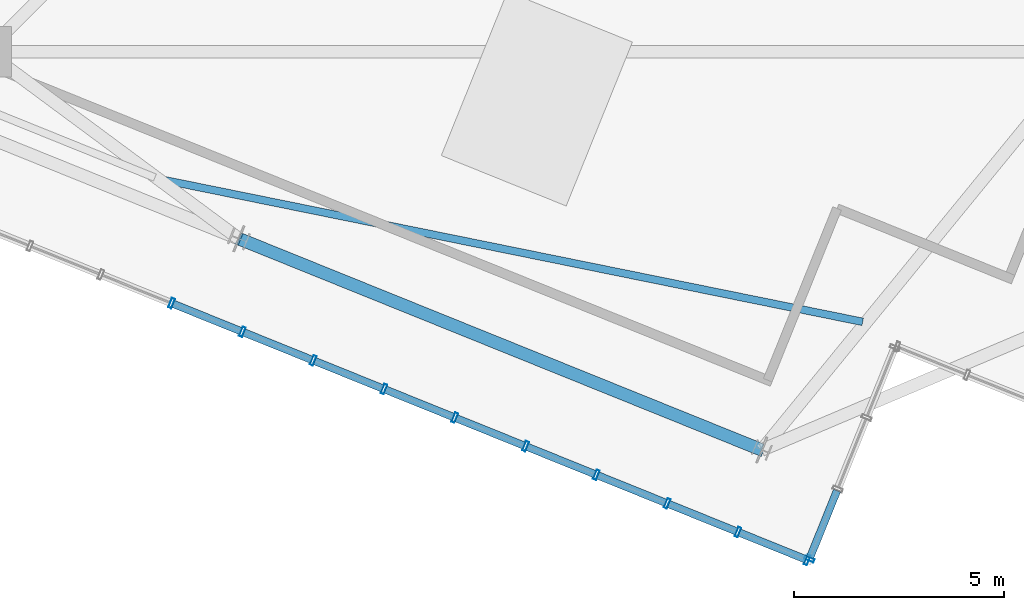
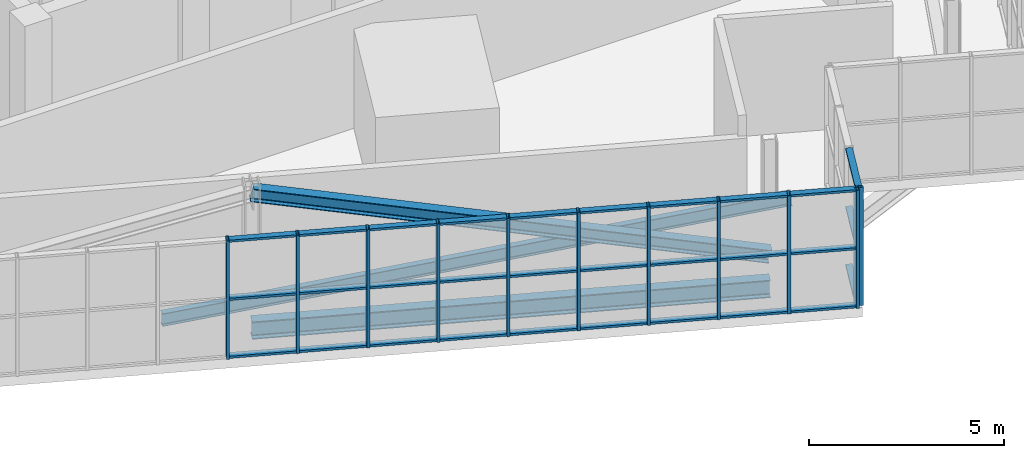
# One storey, part 4 of 26: 42 members, 2 beams, 2 elements without a shape of their own.
"""IFC4 building model written with IfcOpenShell, lengths in metres."""

from ifc_helpers import new_model, si_unit, direction, frame, origin, origin_2d, place, context, subcontext, project, spatial, hollow_rectangle, i_section, extrude, source, transform, mapped, material, layer, layer_set, material_profile, profile_set, type_object, element, aggregate, save


model = new_model("IFC4")

# Units and contexts
model_context = context("Model", 3, precision=1e-05, world=origin(), true_north=direction((0.0, 1.0)))
body_context = subcontext(model_context, "Body", "Model", "MODEL_VIEW")
ifc_project = project(units=[si_unit("LENGTHUNIT", "METRE"), si_unit("AREAUNIT", "SQUARE_METRE"), si_unit("VOLUMEUNIT", "CUBIC_METRE"), si_unit("PLANEANGLEUNIT", "RADIAN"), si_unit("MASSUNIT", "GRAM", prefix="KILO"), si_unit("THERMODYNAMICTEMPERATUREUNIT", "KELVIN")], contexts=[model_context])

# Site, building, storey
site_placement = place(None, origin())
site = spatial("IfcSite", under=ifc_project, at=site_placement, CompositionType="ELEMENT")
building_placement = place(site_placement, origin())
building = spatial("IfcBuilding", under=site, at=building_placement, Name="Kosmvard Interchange Tower", CompositionType="ELEMENT")
storey_placement = place(building_placement, frame((0.0, 0.0, 337.60009765625)))
storey = spatial("IfcBuildingStorey", under=building, at=storey_placement, Name="L83", CompositionType="ELEMENT", Elevation=337.60009765625)

# Member
ifc_material_1 = material(Name="Steel S355", Category="steel")
ifc_material_profile_1 = material_profile(ifc_material_1, i_section(OverallWidth=0.300048828125, OverallDepth=0.39990234375, WebThickness=0.013427734375, FlangeThickness=0.02392578125, FilletRadius=0.027099609375, at=origin_2d()), Name="HEB 400")
ifc_profile_set_1 = profile_set([ifc_material_profile_1], Name="Steel S355")
member_type_1 = type_object("IfcMemberType", Name="Lantern Crown Diagrid Brace HEB 400 S355", PredefinedType="BRACE", material=ifc_profile_set_1)
shared_shape_1 = source(origin(), body_context, "Body", "SweptSolid", [
    extrude(i_section(OverallWidth=0.300048828125, OverallDepth=0.39990234375, WebThickness=0.013427734375, FlangeThickness=0.02392578125, FilletRadius=0.027099609375, at=origin_2d()), origin(), (0.0, 0.0, 1.0), 13.783935546875),
])
member_1_placement = place(storey_placement, frame((5.34423828125, -22.54345703125, 0.419921875), z_axis=(-0.901367558742, 0.364177999122, 0.234330768366), x_axis=(-0.374608243744, -0.927183187789, 0.0)))
element("IfcMember", 1, at=member_1_placement, inside=storey, type_object=member_type_1, Name="L83 Crown Lantern Diagrid Brace W2", PredefinedType="BRACE", context=body_context, shape_type="MappedRepresentation", body=[
    mapped(shared_shape_1, transform((0.0, 0.0, 0.0), scale=1.0)),
])

# Beams
ifc_material_profile_2 = material_profile(ifc_material_1, i_section(OverallWidth=0.300048828125, OverallDepth=0.550048828125, WebThickness=0.014892578125, FlangeThickness=0.029052734375, FilletRadius=0.027099609375, at=origin_2d()), Name="HEB 550")
ifc_profile_set_2 = profile_set([ifc_material_profile_2], Name="Steel S355")
beam_type_1 = type_object("IfcBeamType", Name="Crown Ring Cap Girder HEB 550 S355", PredefinedType="BEAM", material=ifc_profile_set_2)
shared_shape_2 = source(origin(), body_context, "Body", "SweptSolid", [
    extrude(i_section(OverallWidth=0.300048828125, OverallDepth=0.550048828125, WebThickness=0.014892578125, FlangeThickness=0.029052734375, FilletRadius=0.027099609375, at=origin_2d()), origin(), (0.0, 0.0, 1.0), 13.400146484375),
])
beam_1_placement = place(storey_placement, frame((-7.080078125, -17.523681640625, -0.5751953125), z_axis=(0.927183187789, -0.374608243744, 0.0), x_axis=(0.374608243744, 0.927183187789, 0.0)))
element("IfcBeam", 2, at=beam_1_placement, inside=storey, type_object=beam_type_1, Name="BM-L83-PR11", PredefinedType="BEAM", context=body_context, shape_type="MappedRepresentation", body=[
    mapped(shared_shape_2, transform((0.0, 0.0, 0.0), scale=1.0)),
])
ifc_material_profile_3 = material_profile(ifc_material_1, i_section(OverallWidth=0.179931640625, OverallDepth=0.39990234375, WebThickness=0.008544921875, FlangeThickness=0.013427734375, FilletRadius=0.02099609375, at=origin_2d()), Name="IPE 400")
ifc_profile_set_3 = profile_set([ifc_material_profile_3], Name="Steel S355")
beam_type_2 = type_object("IfcBeamType", Name="Upper-Zone Floor Joist IPE 400 S355", PredefinedType="JOIST", material=ifc_profile_set_3)
shared_shape_3 = source(origin(), body_context, "Body", "SweptSolid", [
    extrude(i_section(OverallWidth=0.179931640625, OverallDepth=0.39990234375, WebThickness=0.008544921875, FlangeThickness=0.013427734375, FilletRadius=0.02099609375, at=origin_2d()), origin(), (0.0, 0.0, 1.0), 17.0029296875),
])
beam_2_placement = place(storey_placement, frame((-8.921875, -16.117919921875, -0.5), z_axis=(0.98002341059, -0.198882162837, 0.0), x_axis=(0.198882162837, 0.98002341059, 0.0)))
element("IfcBeam", 3, at=beam_2_placement, inside=storey, type_object=beam_type_2, Name="BM-L83-FJ08", PredefinedType="JOIST", context=body_context, shape_type="MappedRepresentation", body=[
    mapped(shared_shape_3, transform((0.0, 0.0, 0.0), scale=1.0)),
])

# Curtain wall, members
ifc_material_2 = material(Name="Architectural anodised aluminium", Category="aluminium")
ifc_layer = layer(ifc_material_2, 0.25, Name="Architectural anodised aluminium")
ifc_layer_set = layer_set([ifc_layer], Name="Architectural anodised aluminium")
curtain_wall_type = type_object("IfcCurtainWallType", Name="CW-6 Illuminated Crown Lantern Curtain Wall", PredefinedType="NOTDEFINED", material=ifc_layer_set)
curtain_wall_1_placement = place(storey_placement, origin())
curtain_wall_1 = element("IfcCurtainWall", 4, at=curtain_wall_1_placement, inside=storey, type_object=curtain_wall_type, Name="L83 Crown Lantern Glazing Face 10", PredefinedType="NOTDEFINED")
ifc_material_profile_4 = material_profile(ifc_material_2, hollow_rectangle(XDim=0.239990234375, YDim=0.080078125, WallThickness=0.006103515625, at=origin_2d()), Name="CWM 240x80x6")
ifc_profile_set_4 = profile_set([ifc_material_profile_4], Name="Architectural anodised aluminium")
member_type_2 = type_object("IfcMemberType", Name="Lantern & Observation CW Mullion 240x80 Aluminium", PredefinedType="MULLION", material=ifc_profile_set_4)
shared_shape_4 = source(origin(), body_context, "Body", "SweptSolid", [
    extrude(hollow_rectangle(XDim=0.239990234375, YDim=0.080078125, WallThickness=0.006103515625, at=origin_2d()), origin(), (0.0, 0.0, 1.0), 3.699951171875),
])
member_2_placement = place(storey_placement, frame((-8.677734375, -19.056884765625, 0.0), z_axis=(0.0, 0.0, 1.0), x_axis=(0.374606584758, 0.927183858065, 0.0)))
member_2 = element("IfcMember", 5, at=member_2_placement, type_object=member_type_2, Name="CW-6 mullion 9", PredefinedType="MULLION", context=body_context, shape_type="MappedRepresentation", body=[
    mapped(shared_shape_4, transform((0.0, 0.0, 0.0), scale=1.0)),
])
member_3_placement = place(storey_placement, frame((-6.995849609375, -19.736572265625, 0.0), z_axis=(0.0, 0.0, 1.0), x_axis=(0.374606584758, 0.927183858065, 0.0)))
member_3 = element("IfcMember", 6, at=member_3_placement, type_object=member_type_2, Name="CW-6 mullion 10", PredefinedType="MULLION", context=body_context, shape_type="MappedRepresentation", body=[
    mapped(shared_shape_4, transform((0.0, 0.0, 0.0), scale=1.0)),
])
member_4_placement = place(storey_placement, frame((-5.313720703125, -20.416015625, 0.0), z_axis=(0.0, 0.0, 1.0), x_axis=(0.374606584758, 0.927183858065, 0.0)))
member_4 = element("IfcMember", 7, at=member_4_placement, type_object=member_type_2, Name="CW-6 mullion 11", PredefinedType="MULLION", context=body_context, shape_type="MappedRepresentation", body=[
    mapped(shared_shape_4, transform((0.0, 0.0, 0.0), scale=1.0)),
])
member_5_placement = place(storey_placement, frame((-3.6318359375, -21.095703125, 0.0), z_axis=(0.0, 0.0, 1.0), x_axis=(0.374606584758, 0.927183858065, 0.0)))
member_5 = element("IfcMember", 8, at=member_5_placement, type_object=member_type_2, Name="CW-6 mullion 12", PredefinedType="MULLION", context=body_context, shape_type="MappedRepresentation", body=[
    mapped(shared_shape_4, transform((0.0, 0.0, 0.0), scale=1.0)),
])
member_6_placement = place(storey_placement, frame((-1.94970703125, -21.775146484375, 0.0), z_axis=(0.0, 0.0, 1.0), x_axis=(0.374606584758, 0.927183858065, 0.0)))
member_6 = element("IfcMember", 9, at=member_6_placement, type_object=member_type_2, Name="CW-6 mullion 13", PredefinedType="MULLION", context=body_context, shape_type="MappedRepresentation", body=[
    mapped(shared_shape_4, transform((0.0, 0.0, 0.0), scale=1.0)),
])
member_7_placement = place(storey_placement, frame((-0.267578125, -22.454833984375, 0.0), z_axis=(0.0, 0.0, 1.0), x_axis=(0.374606584758, 0.927183858065, 0.0)))
member_7 = element("IfcMember", 10, at=member_7_placement, type_object=member_type_2, Name="CW-6 mullion 14", PredefinedType="MULLION", context=body_context, shape_type="MappedRepresentation", body=[
    mapped(shared_shape_4, transform((0.0, 0.0, 0.0), scale=1.0)),
])
member_8_placement = place(storey_placement, frame((1.414306640625, -23.13427734375, 0.0), z_axis=(0.0, 0.0, 1.0), x_axis=(0.374606584758, 0.927183858065, 0.0)))
member_8 = element("IfcMember", 11, at=member_8_placement, type_object=member_type_2, Name="CW-6 mullion 15", PredefinedType="MULLION", context=body_context, shape_type="MappedRepresentation", body=[
    mapped(shared_shape_4, transform((0.0, 0.0, 0.0), scale=1.0)),
])
member_9_placement = place(storey_placement, frame((3.096435546875, -23.81396484375, 0.0), z_axis=(0.0, 0.0, 1.0), x_axis=(0.374606584758, 0.927183858065, 0.0)))
member_9 = element("IfcMember", 12, at=member_9_placement, type_object=member_type_2, Name="CW-6 mullion 16", PredefinedType="MULLION", context=body_context, shape_type="MappedRepresentation", body=[
    mapped(shared_shape_4, transform((0.0, 0.0, 0.0), scale=1.0)),
])
member_10_placement = place(storey_placement, frame((4.7783203125, -24.49365234375, 0.0), z_axis=(0.0, 0.0, 1.0), x_axis=(0.374606584758, 0.927183858065, 0.0)))
member_10 = element("IfcMember", 13, at=member_10_placement, type_object=member_type_2, Name="CW-6 mullion 17", PredefinedType="MULLION", context=body_context, shape_type="MappedRepresentation", body=[
    mapped(shared_shape_4, transform((0.0, 0.0, 0.0), scale=1.0)),
])
member_11_placement = place(storey_placement, frame((6.42333984375, -25.158203125, 0.0), z_axis=(0.0, 0.0, 1.0), x_axis=(0.374606584758, 0.927183858065, 0.0)))
member_11 = element("IfcMember", 14, at=member_11_placement, type_object=member_type_2, Name="CW-6 mullion 18", PredefinedType="MULLION", context=body_context, shape_type="MappedRepresentation", body=[
    mapped(shared_shape_4, transform((0.0, 0.0, 0.0), scale=1.0)),
])

# Curtain wall, member
curtain_wall_2_placement = place(storey_placement, origin())
curtain_wall_2 = element("IfcCurtainWall", 15, at=curtain_wall_2_placement, inside=storey, type_object=curtain_wall_type, Name="L83 Crown Lantern Glazing Face 11", PredefinedType="NOTDEFINED")
member_12_placement = place(storey_placement, frame((6.475341796875, -25.135986328125, 0.0), z_axis=(0.0, 0.0, 1.0), x_axis=(-0.92718386612, 0.374606564822, 0.0)))
member_12 = element("IfcMember", 16, at=member_12_placement, type_object=member_type_2, Name="CW-6 mullion 1", PredefinedType="MULLION", context=body_context, shape_type="MappedRepresentation", body=[
    mapped(shared_shape_4, transform((0.0, 0.0, 0.0), scale=1.0)),
])

# Member
ifc_material_profile_5 = material_profile(ifc_material_2, hollow_rectangle(XDim=0.179931640625, YDim=0.070068359375, WallThickness=0.0048828125, at=origin_2d()), Name="CWT 180x70x5")
ifc_profile_set_5 = profile_set([ifc_material_profile_5], Name="Architectural anodised aluminium")
member_type_3 = type_object("IfcMemberType", Name="Heavy Lantern CW Transom 180x70 Aluminium", PredefinedType="USERDEFINED", material=ifc_profile_set_5)
shared_shape_5 = source(origin(), body_context, "Body", "SweptSolid", [
    extrude(hollow_rectangle(XDim=0.179931640625, YDim=0.070068359375, WallThickness=0.0048828125, at=origin_2d()), origin(), (0.0, 0.0, 1.0), 1.694091796875),
])
member_13_placement = place(storey_placement, frame((4.8154296875, -24.508544921875, 0.034912109375), z_axis=(0.927209116514, -0.374544061831, 0.0), x_axis=(0.374544061831, 0.927209116514, 0.0)))
member_13 = element("IfcMember", 17, at=member_13_placement, type_object=member_type_3, Name="CW-6 transom 17.1", ObjectType="TRANSOM", PredefinedType="USERDEFINED", context=body_context, shape_type="MappedRepresentation", body=[
    mapped(shared_shape_5, transform((0.0, 0.0, 0.0), scale=1.0)),
])

member_14_placement = place(storey_placement, frame((4.8154296875, -24.508544921875, 1.849853515625), z_axis=(0.927209116514, -0.374544061831, 0.0), x_axis=(0.374544061831, 0.927209116514, 0.0)))
member_14 = element("IfcMember", 18, at=member_14_placement, type_object=member_type_3, Name="CW-6 transom 17.2", ObjectType="TRANSOM", PredefinedType="USERDEFINED", context=body_context, shape_type="MappedRepresentation", body=[
    mapped(shared_shape_5, transform((0.0, 0.0, 0.0), scale=1.0)),
])

member_15_placement = place(storey_placement, frame((4.8154296875, -24.508544921875, 3.664794921875), z_axis=(0.927209116514, -0.374544061831, 0.0), x_axis=(0.374544061831, 0.927209116514, 0.0)))
member_15 = element("IfcMember", 19, at=member_15_placement, type_object=member_type_3, Name="CW-6 transom 17.3", ObjectType="TRANSOM", PredefinedType="USERDEFINED", context=body_context, shape_type="MappedRepresentation", body=[
    mapped(shared_shape_5, transform((0.0, 0.0, 0.0), scale=1.0)),
])

shared_shape_6 = source(origin(), body_context, "Body", "SweptSolid", [
    extrude(hollow_rectangle(XDim=0.179931640625, YDim=0.070068359375, WallThickness=0.0048828125, at=origin_2d()), origin(), (0.0, 0.0, 1.0), 1.734130859375),
])
member_16_placement = place(storey_placement, frame((-6.958740234375, -19.75146484375, 0.034912109375), z_axis=(0.927179782522, -0.374616671924, 0.0), x_axis=(0.374616671924, 0.927179782522, 0.0)))
member_16 = element("IfcMember", 20, at=member_16_placement, type_object=member_type_3, Name="CW-6 transom 10.1", ObjectType="TRANSOM", PredefinedType="USERDEFINED", context=body_context, shape_type="MappedRepresentation", body=[
    mapped(shared_shape_6, transform((0.0, 0.0, 0.0), scale=1.0)),
])

member_17_placement = place(storey_placement, frame((-6.958740234375, -19.75146484375, 1.849853515625), z_axis=(0.927179782522, -0.374616671924, 0.0), x_axis=(0.374616671924, 0.927179782522, 0.0)))
member_17 = element("IfcMember", 21, at=member_17_placement, type_object=member_type_3, Name="CW-6 transom 10.2", ObjectType="TRANSOM", PredefinedType="USERDEFINED", context=body_context, shape_type="MappedRepresentation", body=[
    mapped(shared_shape_6, transform((0.0, 0.0, 0.0), scale=1.0)),
])

member_18_placement = place(storey_placement, frame((-6.958740234375, -19.75146484375, 3.664794921875), z_axis=(0.927179782522, -0.374616671924, 0.0), x_axis=(0.374616671924, 0.927179782522, 0.0)))
member_18 = element("IfcMember", 22, at=member_18_placement, type_object=member_type_3, Name="CW-6 transom 10.3", ObjectType="TRANSOM", PredefinedType="USERDEFINED", context=body_context, shape_type="MappedRepresentation", body=[
    mapped(shared_shape_6, transform((0.0, 0.0, 0.0), scale=1.0)),
])

member_19_placement = place(storey_placement, frame((-5.276611328125, -20.43115234375, 0.034912109375), z_axis=(0.927228675447, -0.374495638732, 0.0), x_axis=(0.374495638732, 0.927228675447, 0.0)))
member_19 = element("IfcMember", 23, at=member_19_placement, type_object=member_type_3, Name="CW-6 transom 11.1", ObjectType="TRANSOM", PredefinedType="USERDEFINED", context=body_context, shape_type="MappedRepresentation", body=[
    mapped(shared_shape_6, transform((0.0, 0.0, 0.0), scale=1.0)),
])

member_20_placement = place(storey_placement, frame((-5.276611328125, -20.43115234375, 1.849853515625), z_axis=(0.927228675447, -0.374495638732, 0.0), x_axis=(0.374495638732, 0.927228675447, 0.0)))
member_20 = element("IfcMember", 24, at=member_20_placement, type_object=member_type_3, Name="CW-6 transom 11.2", ObjectType="TRANSOM", PredefinedType="USERDEFINED", context=body_context, shape_type="MappedRepresentation", body=[
    mapped(shared_shape_6, transform((0.0, 0.0, 0.0), scale=1.0)),
])

member_21_placement = place(storey_placement, frame((-5.276611328125, -20.43115234375, 3.664794921875), z_axis=(0.927228675447, -0.374495638732, 0.0), x_axis=(0.374495638732, 0.927228675447, 0.0)))
member_21 = element("IfcMember", 25, at=member_21_placement, type_object=member_type_3, Name="CW-6 transom 11.3", ObjectType="TRANSOM", PredefinedType="USERDEFINED", context=body_context, shape_type="MappedRepresentation", body=[
    mapped(shared_shape_6, transform((0.0, 0.0, 0.0), scale=1.0)),
])

member_22_placement = place(storey_placement, frame((-3.5947265625, -21.110595703125, 0.034912109375), z_axis=(0.927179782522, -0.374616671924, 0.0), x_axis=(0.374616671924, 0.927179782522, 0.0)))
member_22 = element("IfcMember", 26, at=member_22_placement, type_object=member_type_3, Name="CW-6 transom 12.1", ObjectType="TRANSOM", PredefinedType="USERDEFINED", context=body_context, shape_type="MappedRepresentation", body=[
    mapped(shared_shape_6, transform((0.0, 0.0, 0.0), scale=1.0)),
])

member_23_placement = place(storey_placement, frame((-3.5947265625, -21.110595703125, 1.849853515625), z_axis=(0.927179782522, -0.374616671924, 0.0), x_axis=(0.374616671924, 0.927179782522, 0.0)))
member_23 = element("IfcMember", 27, at=member_23_placement, type_object=member_type_3, Name="CW-6 transom 12.2", ObjectType="TRANSOM", PredefinedType="USERDEFINED", context=body_context, shape_type="MappedRepresentation", body=[
    mapped(shared_shape_6, transform((0.0, 0.0, 0.0), scale=1.0)),
])

member_24_placement = place(storey_placement, frame((-3.5947265625, -21.110595703125, 3.664794921875), z_axis=(0.927179782522, -0.374616671924, 0.0), x_axis=(0.374616671924, 0.927179782522, 0.0)))
member_24 = element("IfcMember", 28, at=member_24_placement, type_object=member_type_3, Name="CW-6 transom 12.3", ObjectType="TRANSOM", PredefinedType="USERDEFINED", context=body_context, shape_type="MappedRepresentation", body=[
    mapped(shared_shape_6, transform((0.0, 0.0, 0.0), scale=1.0)),
])

member_25_placement = place(storey_placement, frame((-1.91259765625, -21.790283203125, 0.034912109375), z_axis=(0.927228675447, -0.374495638732, 0.0), x_axis=(0.374495638732, 0.927228675447, 0.0)))
member_25 = element("IfcMember", 29, at=member_25_placement, type_object=member_type_3, Name="CW-6 transom 13.1", ObjectType="TRANSOM", PredefinedType="USERDEFINED", context=body_context, shape_type="MappedRepresentation", body=[
    mapped(shared_shape_6, transform((0.0, 0.0, 0.0), scale=1.0)),
])

member_26_placement = place(storey_placement, frame((-1.91259765625, -21.790283203125, 1.849853515625), z_axis=(0.927228675447, -0.374495638732, 0.0), x_axis=(0.374495638732, 0.927228675447, 0.0)))
member_26 = element("IfcMember", 30, at=member_26_placement, type_object=member_type_3, Name="CW-6 transom 13.2", ObjectType="TRANSOM", PredefinedType="USERDEFINED", context=body_context, shape_type="MappedRepresentation", body=[
    mapped(shared_shape_6, transform((0.0, 0.0, 0.0), scale=1.0)),
])

member_27_placement = place(storey_placement, frame((-1.91259765625, -21.790283203125, 3.664794921875), z_axis=(0.927228675447, -0.374495638732, 0.0), x_axis=(0.374495638732, 0.927228675447, 0.0)))
member_27 = element("IfcMember", 31, at=member_27_placement, type_object=member_type_3, Name="CW-6 transom 13.3", ObjectType="TRANSOM", PredefinedType="USERDEFINED", context=body_context, shape_type="MappedRepresentation", body=[
    mapped(shared_shape_6, transform((0.0, 0.0, 0.0), scale=1.0)),
])

member_28_placement = place(storey_placement, frame((1.451416015625, -23.1494140625, 0.034912109375), z_axis=(0.927179782522, -0.374616671924, 0.0), x_axis=(0.374616671924, 0.927179782522, 0.0)))
member_28 = element("IfcMember", 32, at=member_28_placement, type_object=member_type_3, Name="CW-6 transom 15.1", ObjectType="TRANSOM", PredefinedType="USERDEFINED", context=body_context, shape_type="MappedRepresentation", body=[
    mapped(shared_shape_6, transform((0.0, 0.0, 0.0), scale=1.0)),
])

member_29_placement = place(storey_placement, frame((1.451416015625, -23.1494140625, 1.849853515625), z_axis=(0.927179782522, -0.374616671924, 0.0), x_axis=(0.374616671924, 0.927179782522, 0.0)))
member_29 = element("IfcMember", 33, at=member_29_placement, type_object=member_type_3, Name="CW-6 transom 15.2", ObjectType="TRANSOM", PredefinedType="USERDEFINED", context=body_context, shape_type="MappedRepresentation", body=[
    mapped(shared_shape_6, transform((0.0, 0.0, 0.0), scale=1.0)),
])

member_30_placement = place(storey_placement, frame((1.451416015625, -23.1494140625, 3.664794921875), z_axis=(0.927179782522, -0.374616671924, 0.0), x_axis=(0.374616671924, 0.927179782522, 0.0)))
member_30 = element("IfcMember", 34, at=member_30_placement, type_object=member_type_3, Name="CW-6 transom 15.3", ObjectType="TRANSOM", PredefinedType="USERDEFINED", context=body_context, shape_type="MappedRepresentation", body=[
    mapped(shared_shape_6, transform((0.0, 0.0, 0.0), scale=1.0)),
])

shared_shape_7 = source(origin(), body_context, "Body", "SweptSolid", [
    extrude(hollow_rectangle(XDim=0.179931640625, YDim=0.070068359375, WallThickness=0.0048828125, at=origin_2d()), origin(), (0.0, 0.0, 1.0), 1.73388671875),
])
member_31_placement = place(storey_placement, frame((-8.640625, -19.07177734375, 0.034912109375), z_axis=(0.927160021861, -0.374665576032, 0.0), x_axis=(0.374665576032, 0.927160021861, 0.0)))
member_31 = element("IfcMember", 35, at=member_31_placement, type_object=member_type_3, Name="CW-6 transom 9.1", ObjectType="TRANSOM", PredefinedType="USERDEFINED", context=body_context, shape_type="MappedRepresentation", body=[
    mapped(shared_shape_7, transform((0.0, 0.0, 0.0), scale=1.0)),
])

member_32_placement = place(storey_placement, frame((-8.640625, -19.07177734375, 1.849853515625), z_axis=(0.927160021861, -0.374665576032, 0.0), x_axis=(0.374665576032, 0.927160021861, 0.0)))
member_32 = element("IfcMember", 36, at=member_32_placement, type_object=member_type_3, Name="CW-6 transom 9.2", ObjectType="TRANSOM", PredefinedType="USERDEFINED", context=body_context, shape_type="MappedRepresentation", body=[
    mapped(shared_shape_7, transform((0.0, 0.0, 0.0), scale=1.0)),
])

member_33_placement = place(storey_placement, frame((-8.640625, -19.07177734375, 3.664794921875), z_axis=(0.927160021861, -0.374665576032, 0.0), x_axis=(0.374665576032, 0.927160021861, 0.0)))
member_33 = element("IfcMember", 37, at=member_33_placement, type_object=member_type_3, Name="CW-6 transom 9.3", ObjectType="TRANSOM", PredefinedType="USERDEFINED", context=body_context, shape_type="MappedRepresentation", body=[
    mapped(shared_shape_7, transform((0.0, 0.0, 0.0), scale=1.0)),
])

member_34_placement = place(storey_placement, frame((-0.23046875, -22.4697265625, 0.034912109375), z_axis=(0.927160021861, -0.374665576032, 0.0), x_axis=(0.374665576032, 0.927160021861, 0.0)))
member_34 = element("IfcMember", 38, at=member_34_placement, type_object=member_type_3, Name="CW-6 transom 14.1", ObjectType="TRANSOM", PredefinedType="USERDEFINED", context=body_context, shape_type="MappedRepresentation", body=[
    mapped(shared_shape_7, transform((0.0, 0.0, 0.0), scale=1.0)),
])

member_35_placement = place(storey_placement, frame((-0.23046875, -22.4697265625, 1.849853515625), z_axis=(0.927160021861, -0.374665576032, 0.0), x_axis=(0.374665576032, 0.927160021861, 0.0)))
member_35 = element("IfcMember", 39, at=member_35_placement, type_object=member_type_3, Name="CW-6 transom 14.2", ObjectType="TRANSOM", PredefinedType="USERDEFINED", context=body_context, shape_type="MappedRepresentation", body=[
    mapped(shared_shape_7, transform((0.0, 0.0, 0.0), scale=1.0)),
])

member_36_placement = place(storey_placement, frame((-0.23046875, -22.4697265625, 3.664794921875), z_axis=(0.927160021861, -0.374665576032, 0.0), x_axis=(0.374665576032, 0.927160021861, 0.0)))
member_36 = element("IfcMember", 40, at=member_36_placement, type_object=member_type_3, Name="CW-6 transom 14.3", ObjectType="TRANSOM", PredefinedType="USERDEFINED", context=body_context, shape_type="MappedRepresentation", body=[
    mapped(shared_shape_7, transform((0.0, 0.0, 0.0), scale=1.0)),
])

member_37_placement = place(storey_placement, frame((3.133544921875, -23.828857421875, 0.034912109375), z_axis=(0.927160021861, -0.374665576032, 0.0), x_axis=(0.374665576032, 0.927160021861, 0.0)))
member_37 = element("IfcMember", 41, at=member_37_placement, type_object=member_type_3, Name="CW-6 transom 16.1", ObjectType="TRANSOM", PredefinedType="USERDEFINED", context=body_context, shape_type="MappedRepresentation", body=[
    mapped(shared_shape_7, transform((0.0, 0.0, 0.0), scale=1.0)),
])

member_38_placement = place(storey_placement, frame((3.133544921875, -23.828857421875, 1.849853515625), z_axis=(0.927160021861, -0.374665576032, 0.0), x_axis=(0.374665576032, 0.927160021861, 0.0)))
member_38 = element("IfcMember", 42, at=member_38_placement, type_object=member_type_3, Name="CW-6 transom 16.2", ObjectType="TRANSOM", PredefinedType="USERDEFINED", context=body_context, shape_type="MappedRepresentation", body=[
    mapped(shared_shape_7, transform((0.0, 0.0, 0.0), scale=1.0)),
])

member_39_placement = place(storey_placement, frame((3.133544921875, -23.828857421875, 3.664794921875), z_axis=(0.927160021861, -0.374665576032, 0.0), x_axis=(0.374665576032, 0.927160021861, 0.0)))
member_39 = element("IfcMember", 43, at=member_39_placement, type_object=member_type_3, Name="CW-6 transom 16.3", ObjectType="TRANSOM", PredefinedType="USERDEFINED", context=body_context, shape_type="MappedRepresentation", body=[
    mapped(shared_shape_7, transform((0.0, 0.0, 0.0), scale=1.0)),
])

aggregate(curtain_wall_1, [member_2, member_3, member_4, member_5, member_6, member_7, member_8, member_9, member_10, member_11, member_31, member_32, member_33, member_16, member_17, member_18, member_19, member_20, member_21, member_22, member_23, member_24, member_25, member_26, member_27, member_34, member_35, member_36, member_28, member_29, member_30, member_37, member_38, member_39, member_13, member_14, member_15])

shared_shape_8 = source(origin(), body_context, "Body", "SweptSolid", [
    extrude(hollow_rectangle(XDim=0.179931640625, YDim=0.070068359375, WallThickness=0.0048828125, at=origin_2d()), origin(), (0.0, 0.0, 1.0), 1.71337890625),
])
member_40_placement = place(storey_placement, frame((6.490478515625, -25.098876953125, 0.034912109375), z_axis=(0.374484254265, 0.927233273404, 0.0), x_axis=(-0.927233273404, 0.374484254265, 0.0)))
member_40 = element("IfcMember", 44, at=member_40_placement, type_object=member_type_3, Name="CW-6 transom 1.1", ObjectType="TRANSOM", PredefinedType="USERDEFINED", context=body_context, shape_type="MappedRepresentation", body=[
    mapped(shared_shape_8, transform((0.0, 0.0, 0.0), scale=1.0)),
])

member_41_placement = place(storey_placement, frame((6.490478515625, -25.098876953125, 1.849853515625), z_axis=(0.374484254265, 0.927233273404, 0.0), x_axis=(-0.927233273404, 0.374484254265, 0.0)))
member_41 = element("IfcMember", 45, at=member_41_placement, type_object=member_type_3, Name="CW-6 transom 1.2", ObjectType="TRANSOM", PredefinedType="USERDEFINED", context=body_context, shape_type="MappedRepresentation", body=[
    mapped(shared_shape_8, transform((0.0, 0.0, 0.0), scale=1.0)),
])

member_42_placement = place(storey_placement, frame((6.490478515625, -25.098876953125, 3.664794921875), z_axis=(0.374484254265, 0.927233273404, 0.0), x_axis=(-0.927233273404, 0.374484254265, 0.0)))
member_42 = element("IfcMember", 46, at=member_42_placement, type_object=member_type_3, Name="CW-6 transom 1.3", ObjectType="TRANSOM", PredefinedType="USERDEFINED", context=body_context, shape_type="MappedRepresentation", body=[
    mapped(shared_shape_8, transform((0.0, 0.0, 0.0), scale=1.0)),
])

aggregate(curtain_wall_2, [member_12, member_40, member_41, member_42])

save(model, "model.ifc")
